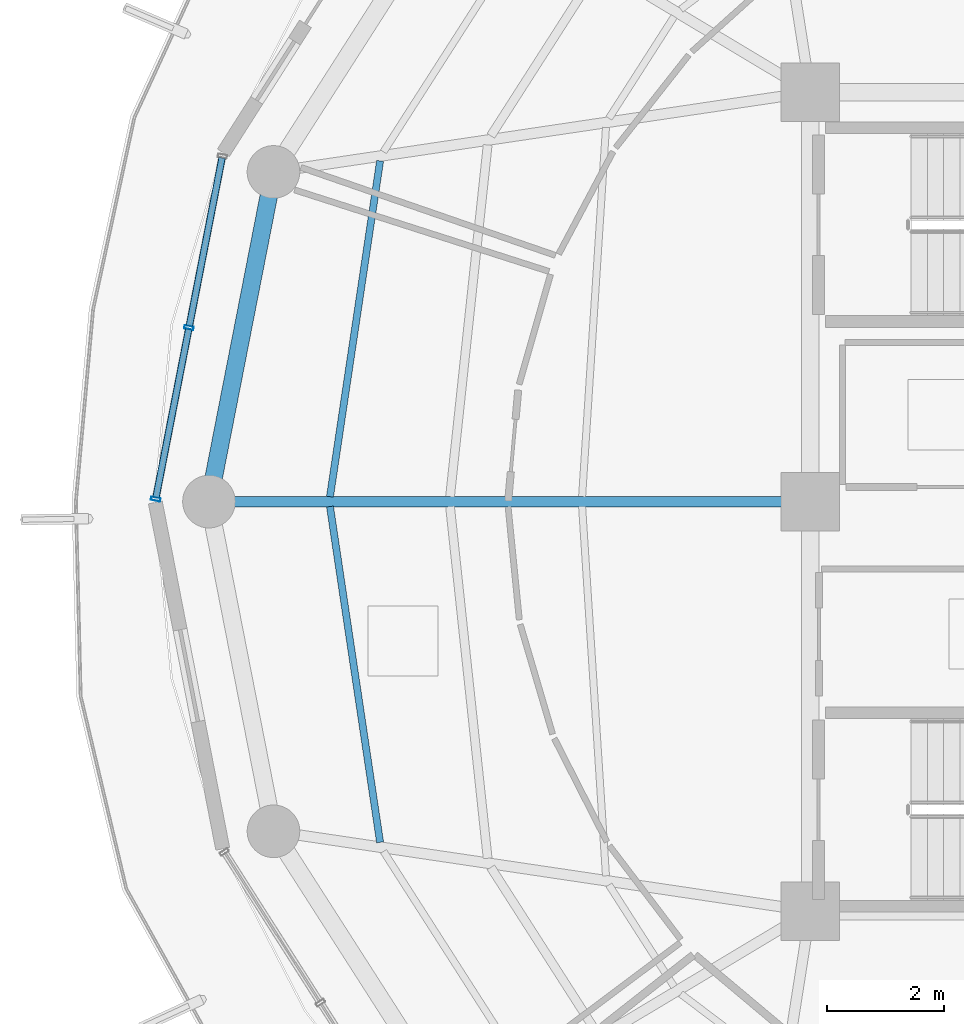
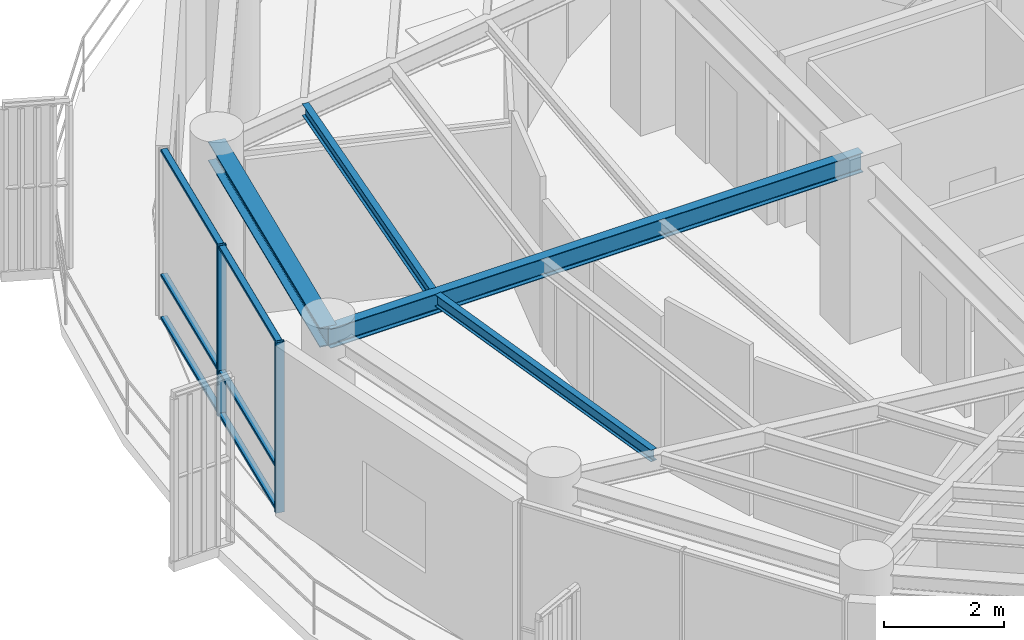
# One storey, part 7 of 23: 8 members, 4 beams, 1 element without a shape of its own.
"""IFC4 building model written with IfcOpenShell, lengths in metres."""

from ifc_helpers import new_model, si_unit, direction, frame, origin, origin_2d, place, context, subcontext, project, spatial, hollow_rectangle, i_section, extrude, material, layer, layer_set, material_profile, profile_set, type_object, element, aggregate, save


model = new_model("IFC4")

# Units and contexts
model_context = context("Model", 3, precision=1e-05, world=origin(), true_north=direction((0.0, 1.0)))
body_context = subcontext(model_context, "Body", "Model", "MODEL_VIEW")
ifc_project = project(units=[si_unit("LENGTHUNIT", "METRE"), si_unit("AREAUNIT", "SQUARE_METRE"), si_unit("VOLUMEUNIT", "CUBIC_METRE"), si_unit("PLANEANGLEUNIT", "RADIAN"), si_unit("MASSUNIT", "GRAM", prefix="KILO")], contexts=[model_context])

# Site, building, storey
site_placement = place(None, origin())
site = spatial("IfcSite", under=ifc_project, at=site_placement, CompositionType="ELEMENT")
building_placement = place(site_placement, origin())
building = spatial("IfcBuilding", under=site, at=building_placement, Name="Kelanora Arch Commons", CompositionType="ELEMENT")
storey_placement = place(building_placement, frame((0.0, 0.0, 282.449951171875)))
storey = spatial("IfcBuildingStorey", under=building, at=storey_placement, Name="L72", CompositionType="ELEMENT", Elevation=282.449951171875)

# Beams
ifc_material_1 = material(Name="Steel S355", Category="steel")
ifc_material_profile_1 = material_profile(ifc_material_1, i_section(OverallWidth=0.1201171875, OverallDepth=0.239990234375, WebThickness=0.006103515625, FlangeThickness=0.009765625, FilletRadius=0.014892578125, at=origin_2d()), Name="IPE240")
ifc_profile_set_1 = profile_set([ifc_material_profile_1], Name="Steel S355")
beam_type_1 = type_object("IfcBeamType", Name="BM-JST-02", PredefinedType="JOIST", material=ifc_profile_set_1)
for number, where, z_axis, x_axis, name in (
    (1, (58.6455078125, 63.8251953125, 3.3701171875), (-0.14762470282, -0.989043450571, 0.0), (0.989043450571, -0.14762470282, 0.0), "Secondary Chord Joist BJC-16 L72"),
    (2, (57.78857421875, 57.916015625, 3.3701171875), (0.14762470282, -0.989043450571, 0.0), (0.989043450571, 0.14762470282, 0.0), "Secondary Chord Joist BJC-18 L72"),
):
    element("IfcBeam", number, at=place(storey_placement, frame(where, z_axis=z_axis, x_axis=x_axis)), inside=storey, type_object=beam_type_1, Name=name, PredefinedType="JOIST", context=body_context, shape_type="SweptSolid", body=[
        extrude(i_section(OverallWidth=0.1201171875, OverallDepth=0.239990234375, WebThickness=0.006103515625, FlangeThickness=0.009765625, FilletRadius=0.014892578125, at=origin_2d()), origin(), (0.0, 0.0, 1.0), 5.804931640625),
    ])
ifc_material_profile_2 = material_profile(ifc_material_1, i_section(OverallWidth=0.179931640625, OverallDepth=0.39990234375, WebThickness=0.008544921875, FlangeThickness=0.013427734375, FilletRadius=0.02099609375, at=origin_2d()), Name="IPE400")
ifc_profile_set_2 = profile_set([ifc_material_profile_2], Name="Steel S355")
beam_type_2 = type_object("IfcBeamType", Name="BM-RAD-Z5", PredefinedType="BEAM", material=ifc_profile_set_2)
beam_1_placement = place(storey_placement, frame((66.0, 58.0, 3.2900390625), z_axis=(-1.0, 0.0, 0.0), x_axis=(0.0, -1.0, 0.0)))
element("IfcBeam", 3, at=beam_1_placement, inside=storey, type_object=beam_type_2, Name="Radial Floor Girder BR-18 L72", PredefinedType="BEAM", context=body_context, shape_type="SweptSolid", body=[
    extrude(i_section(OverallWidth=0.179931640625, OverallDepth=0.39990234375, WebThickness=0.008544921875, FlangeThickness=0.013427734375, FilletRadius=0.02099609375, at=origin_2d()), origin(), (0.0, 0.0, 1.0), 10.280029296875),
])
ifc_material_profile_3 = material_profile(ifc_material_1, i_section(OverallWidth=0.300048828125, OverallDepth=0.39990234375, WebThickness=0.013427734375, FlangeThickness=0.02392578125, FilletRadius=0.027099609375, at=origin_2d()), Name="HEB400")
ifc_profile_set_3 = profile_set([ifc_material_profile_3], Name="Steel S355")
beam_type_3 = type_object("IfcBeamType", Name="BM-SPN-Z4", PredefinedType="SPANDREL", material=ifc_profile_set_3)
beam_2_placement = place(storey_placement, frame((56.822509765625, 63.636474609375, 3.2900390625), z_axis=(-0.191969774604, -0.981400838413, 0.0), x_axis=(0.981400838413, -0.191969774604, 0.0)))
element("IfcBeam", 4, at=beam_2_placement, inside=storey, type_object=beam_type_3, Name="Perimeter Spandrel Beam BS-16 L72", PredefinedType="SPANDREL", context=body_context, shape_type="SweptSolid", body=[
    extrude(i_section(OverallWidth=0.300048828125, OverallDepth=0.39990234375, WebThickness=0.013427734375, FlangeThickness=0.02392578125, FilletRadius=0.027099609375, at=origin_2d()), origin(), (0.0, 0.0, 1.0), 5.743408203125),
])

# Curtain wall, members
ifc_material_2 = material(Name="Terracotta ceramic-fritted low-E glass and aluminium", Category="masonry")
ifc_layer = layer(ifc_material_2, 0.18994140625)
ifc_layer_set = layer_set([ifc_layer], Name="Terracotta ceramic-fritted low-E glass and aluminium")
curtain_wall_type = type_object("IfcCurtainWallType", Name="CW-SYS-03", PredefinedType="NOTDEFINED", material=ifc_layer_set)
curtain_wall_placement = place(storey_placement, origin())
curtain_wall = element("IfcCurtainWall", 5, at=curtain_wall_placement, inside=storey, type_object=curtain_wall_type, Name="Unitised Curtain Wall L72-B08", PredefinedType="NOTDEFINED")
ifc_material_3 = material(Name="Powder-coated aluminium terracotta", Category="masonry")
ifc_material_profile_4 = material_profile(ifc_material_3, hollow_rectangle(XDim=0.159912109375, YDim=0.06005859375, WallThickness=0.0048828125, InnerFilletRadius=0.0048828125, OuterFilletRadius=0.010009765625, at=origin_2d()), Name="CWM160x60")
ifc_profile_set_4 = profile_set([ifc_material_profile_4], Name="Powder-coated aluminium terracotta")
member_type_1 = type_object("IfcMemberType", Name="CWM-STD", PredefinedType="MULLION", material=ifc_profile_set_4)
member_1_placement = place(storey_placement, frame((55.37890625, 60.9755859375, 0.0), z_axis=(0.0, 0.0, 1.0), x_axis=(0.981595542501, -0.190971701941, 0.0)))
member_1 = element("IfcMember", 6, at=member_1_placement, type_object=member_type_1, Name="CW-03 mullion 2", PredefinedType="MULLION", context=body_context, shape_type="SweptSolid", body=[
    extrude(hollow_rectangle(XDim=0.159912109375, YDim=0.06005859375, WallThickness=0.0048828125, InnerFilletRadius=0.0048828125, OuterFilletRadius=0.010009765625, at=origin_2d()), origin(), (0.0, 0.0, 1.0), 3.47509765625),
])
member_2_placement = place(storey_placement, frame((54.80859375, 58.044189453125, 0.0), z_axis=(0.0, 0.0, 1.0), x_axis=(0.981595542501, -0.190971701941, 0.0)))
member_2 = element("IfcMember", 7, at=member_2_placement, type_object=member_type_1, Name="CW-03 mullion 3", PredefinedType="MULLION", context=body_context, shape_type="SweptSolid", body=[
    extrude(hollow_rectangle(XDim=0.159912109375, YDim=0.06005859375, WallThickness=0.0048828125, InnerFilletRadius=0.0048828125, OuterFilletRadius=0.010009765625, at=origin_2d()), origin(), (0.0, 0.0, 1.0), 3.47509765625),
])
ifc_material_profile_5 = material_profile(ifc_material_3, hollow_rectangle(XDim=0.1201171875, YDim=0.06005859375, WallThickness=0.0048828125, InnerFilletRadius=0.0048828125, OuterFilletRadius=0.010009765625, at=origin_2d()), Name="CWT120x60")
ifc_profile_set_5 = profile_set([ifc_material_profile_5], Name="Powder-coated aluminium terracotta")
member_type_2 = type_object("IfcMemberType", Name="CWT-STD", PredefinedType="USERDEFINED", material=ifc_profile_set_5)
member_3_placement = place(storey_placement, frame((55.943603515625, 63.877685546875, 0.030029296875), z_axis=(-0.190963443354, -0.981597149192, 0.0), x_axis=(0.981597149192, -0.190963443354, 0.0)))
member_3 = element("IfcMember", 8, at=member_3_placement, type_object=member_type_2, Name="CW-03 transom 1.1", ObjectType="TRANSOM", PredefinedType="USERDEFINED", context=body_context, shape_type="SweptSolid", body=[
    extrude(hollow_rectangle(XDim=0.1201171875, YDim=0.06005859375, WallThickness=0.0048828125, InnerFilletRadius=0.0048828125, OuterFilletRadius=0.010009765625, at=origin_2d()), origin(), (0.0, 0.0, 1.0), 2.926513671875),
])
member_4_placement = place(storey_placement, frame((55.943603515625, 63.877685546875, 0.900146484375), z_axis=(-0.190963443354, -0.981597149192, 0.0), x_axis=(0.981597149192, -0.190963443354, 0.0)))
member_4 = element("IfcMember", 9, at=member_4_placement, type_object=member_type_2, Name="CW-03 transom 1.2", ObjectType="TRANSOM", PredefinedType="USERDEFINED", context=body_context, shape_type="SweptSolid", body=[
    extrude(hollow_rectangle(XDim=0.1201171875, YDim=0.06005859375, WallThickness=0.0048828125, InnerFilletRadius=0.0048828125, OuterFilletRadius=0.010009765625, at=origin_2d()), origin(), (0.0, 0.0, 1.0), 2.926513671875),
])
member_5_placement = place(storey_placement, frame((55.943603515625, 63.877685546875, 3.445068359375), z_axis=(-0.190963443354, -0.981597149192, 0.0), x_axis=(0.981597149192, -0.190963443354, 0.0)))
member_5 = element("IfcMember", 10, at=member_5_placement, type_object=member_type_2, Name="CW-03 transom 1.3", ObjectType="TRANSOM", PredefinedType="USERDEFINED", context=body_context, shape_type="SweptSolid", body=[
    extrude(hollow_rectangle(XDim=0.1201171875, YDim=0.06005859375, WallThickness=0.0048828125, InnerFilletRadius=0.0048828125, OuterFilletRadius=0.010009765625, at=origin_2d()), origin(), (0.0, 0.0, 1.0), 2.926513671875),
])
member_6_placement = place(storey_placement, frame((55.373291015625, 60.946044921875, 0.030029296875), z_axis=(-0.190963443354, -0.981597149192, 0.0), x_axis=(0.981597149192, -0.190963443354, 0.0)))
member_6 = element("IfcMember", 11, at=member_6_placement, type_object=member_type_2, Name="CW-03 transom 2.1", ObjectType="TRANSOM", PredefinedType="USERDEFINED", context=body_context, shape_type="SweptSolid", body=[
    extrude(hollow_rectangle(XDim=0.1201171875, YDim=0.06005859375, WallThickness=0.0048828125, InnerFilletRadius=0.0048828125, OuterFilletRadius=0.010009765625, at=origin_2d()), origin(), (0.0, 0.0, 1.0), 2.926513671875),
])
member_7_placement = place(storey_placement, frame((55.373291015625, 60.946044921875, 0.900146484375), z_axis=(-0.190963443354, -0.981597149192, 0.0), x_axis=(0.981597149192, -0.190963443354, 0.0)))
member_7 = element("IfcMember", 12, at=member_7_placement, type_object=member_type_2, Name="CW-03 transom 2.2", ObjectType="TRANSOM", PredefinedType="USERDEFINED", context=body_context, shape_type="SweptSolid", body=[
    extrude(hollow_rectangle(XDim=0.1201171875, YDim=0.06005859375, WallThickness=0.0048828125, InnerFilletRadius=0.0048828125, OuterFilletRadius=0.010009765625, at=origin_2d()), origin(), (0.0, 0.0, 1.0), 2.926513671875),
])
member_8_placement = place(storey_placement, frame((55.373291015625, 60.946044921875, 3.445068359375), z_axis=(-0.190963443354, -0.981597149192, 0.0), x_axis=(0.981597149192, -0.190963443354, 0.0)))
member_8 = element("IfcMember", 13, at=member_8_placement, type_object=member_type_2, Name="CW-03 transom 2.3", ObjectType="TRANSOM", PredefinedType="USERDEFINED", context=body_context, shape_type="SweptSolid", body=[
    extrude(hollow_rectangle(XDim=0.1201171875, YDim=0.06005859375, WallThickness=0.0048828125, InnerFilletRadius=0.0048828125, OuterFilletRadius=0.010009765625, at=origin_2d()), origin(), (0.0, 0.0, 1.0), 2.926513671875),
])
aggregate(curtain_wall, [member_1, member_2, member_3, member_4, member_5, member_6, member_7, member_8])

save(model, "model.ifc")
